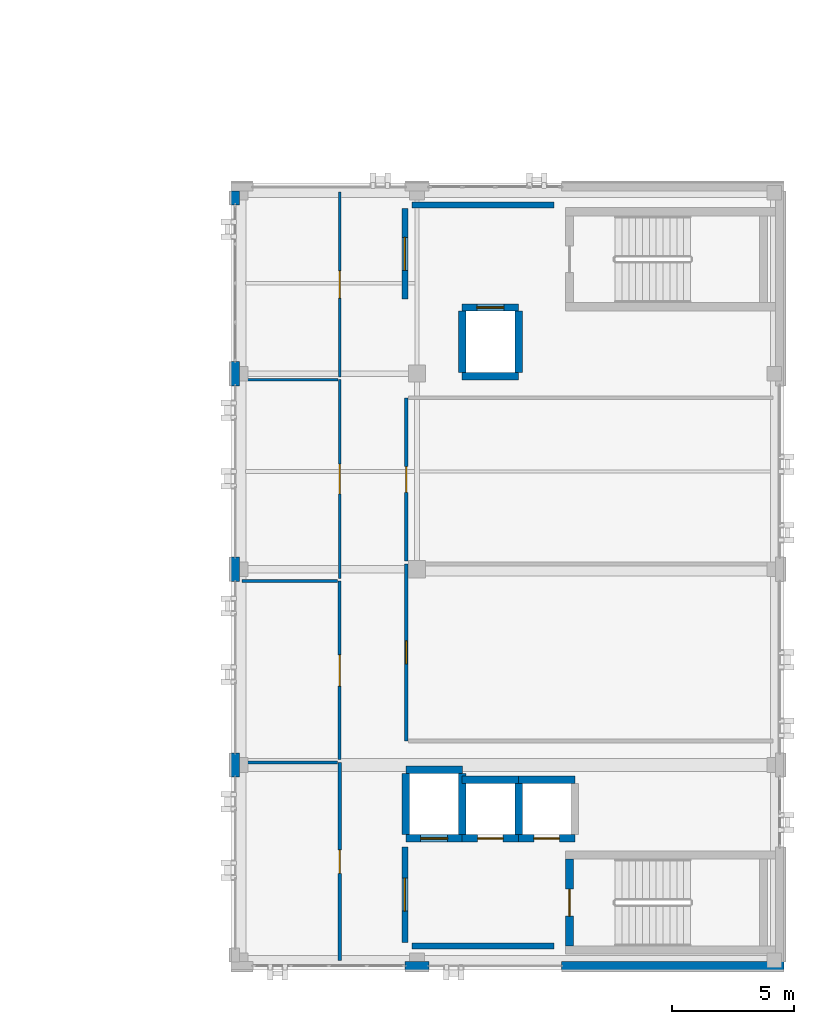
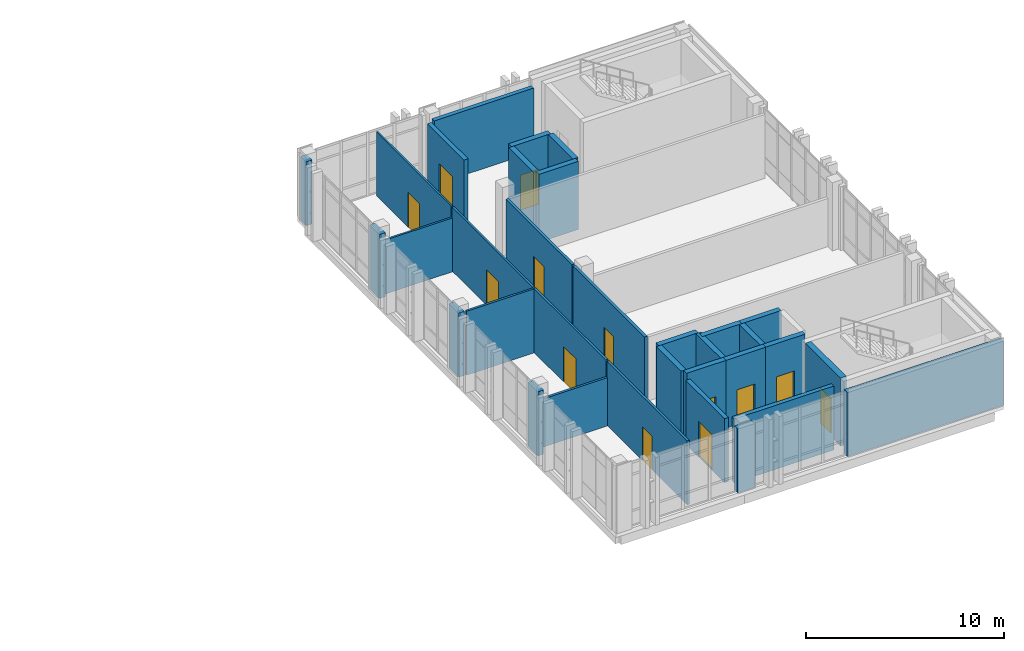
# One storey, part 17 of 22: 33 walls, 13 doors, 13 openings.
"""IFC4 building model written with IfcOpenShell, lengths in metres."""

from ifc_helpers import new_model, si_unit, direction, frame, frame_2d, origin, place, context, subcontext, project, spatial, rectangle, extrude, material, layer, layer_set, type_object, element, fill, save


model = new_model("IFC4")

# Units and contexts
model_context = context("Model", 3, precision=1e-05, world=origin(), true_north=direction((0.0, 1.0)))
body_context = subcontext(model_context, "Body", "Model", "MODEL_VIEW")
ifc_project = project(units=[si_unit("LENGTHUNIT", "METRE"), si_unit("AREAUNIT", "SQUARE_METRE"), si_unit("VOLUMEUNIT", "CUBIC_METRE"), si_unit("PLANEANGLEUNIT", "RADIAN"), si_unit("MASSUNIT", "GRAM", prefix="KILO")], contexts=[model_context])

# Site, building, storey
site_placement = place(None, origin())
site = spatial("IfcSite", under=ifc_project, at=site_placement, CompositionType="ELEMENT")
building_placement = place(site_placement, origin())
building = spatial("IfcBuilding", under=site, at=building_placement, Name="Qalavern Law Courts", CompositionType="ELEMENT")
storey_placement = place(building_placement, frame((0.0, 0.0, 35.39990234375)))
storey = spatial("IfcBuildingStorey", under=building, at=storey_placement, Name="L08", CompositionType="ELEMENT", Elevation=35.39990234375)

# Walls
ifc_material_1 = material(Name="Concrete C40/50", Category="concrete")
ifc_layer_1 = layer(ifc_material_1, 0.340087890625)
ifc_layer_set_1 = layer_set([ifc_layer_1], Name="Concrete C40/50")
wall_type_1 = type_object("IfcWallType", Name="ENV-EW-340", PredefinedType="SOLIDWALL", material=ifc_layer_set_1)
wall_1_placement = place(storey_placement, frame((91.300048828125, 41.18994140625, 0.0), z_axis=(0.0, 0.0, 1.0), x_axis=(1.0, 0.0, 0.0)))
element("IfcWall", 1, at=wall_1_placement, inside=storey, type_object=wall_type_1, Name="V4 exterior pier wall L08 south 2", PredefinedType="SOLIDWALL", context=body_context, shape_type="SweptSolid", body=[
    extrude(rectangle(XDim=1.0, YDim=0.340087890625, at=frame_2d((0.5, 0.0))), origin(), (0.0, 0.0, 1.0), 3.945068359375),
])
wall_2_placement = place(storey_placement, frame((97.699951171875, 41.18994140625, 0.0), z_axis=(0.0, 0.0, 1.0), x_axis=(1.0, 0.0, 0.0)))
element("IfcWall", 2, at=wall_2_placement, inside=storey, type_object=wall_type_1, Name="V4 exterior pier wall L08 south 3", PredefinedType="SOLIDWALL", context=body_context, shape_type="SweptSolid", body=[
    extrude(rectangle(XDim=9.10009765625, YDim=0.340087890625, at=frame_2d((4.550048828125, 0.0))), origin(), (0.0, 0.0, 1.0), 3.945068359375),
])
wall_3_placement = place(storey_placement, frame((84.3701171875, 72.864990234375, 0.0), z_axis=(0.0, 0.0, 1.0), x_axis=(0.0, -1.0, 0.0)))
element("IfcWall", 3, at=wall_3_placement, inside=storey, type_object=wall_type_1, Name="V4 exterior pier wall L08 west 1", PredefinedType="SOLIDWALL", context=body_context, shape_type="SweptSolid", body=[
    extrude(rectangle(XDim=0.56494140625, YDim=0.340087890625, at=frame_2d((0.282470703125, 0.0))), origin(), (0.0, 0.0, 1.0), 3.945068359375),
])
for number, where, z_axis, x_axis, name in (
    (4, (84.3701171875, 65.89990234375, 0.0), (0.0, 0.0, 1.0), (0.0, -1.0, 0.0), "V4 exterior pier wall L08 west 2"),
    (5, (84.3701171875, 57.89990234375, 0.0), (0.0, 0.0, 1.0), (0.0, -1.0, 0.0), "V4 exterior pier wall L08 west 3"),
    (6, (84.3701171875, 49.89990234375, 0.0), (0.0, 0.0, 1.0), (0.0, -1.0, 0.0), "V4 exterior pier wall L08 west 4"),
):
    element("IfcWall", number, at=place(storey_placement, frame(where, z_axis=z_axis, x_axis=x_axis)), inside=storey, type_object=wall_type_1, Name=name, PredefinedType="SOLIDWALL", context=body_context, shape_type="SweptSolid", body=[
        extrude(rectangle(XDim=1.0, YDim=0.340087890625, at=frame_2d((0.5, 0.0))), origin(), (0.0, 0.0, 1.0), 3.945068359375),
    ])

# Wall, opening, door
ifc_material_2 = material(Name="Concrete C45/55", Category="concrete")
ifc_layer_2 = layer(ifc_material_2, 0.3349609375)
ifc_layer_set_2 = layer_set([ifc_layer_2], Name="Concrete C45/55")
wall_type_2 = type_object("IfcWallType", Name="INT-CW-335", PredefinedType="SHEAR", material=ifc_layer_set_2)
wall_4_placement = place(storey_placement, frame((98.032470703125, 45.550048828125, 0.0), z_axis=(0.0, 0.0, 1.0), x_axis=(0.0, -1.0, 0.0)))
wall_4 = element("IfcWall", 7, at=wall_4_placement, inside=storey, type_object=wall_type_2, Name="Core K1A stair shear wall L08 west", PredefinedType="SHEAR", context=body_context, shape_type="SweptSolid", body=[
    extrude(rectangle(XDim=3.550048828125, YDim=0.3349609375, at=frame_2d((1.77490234375, 0.0))), origin(), (0.0, 0.0, 1.0), 4.2001953125),
])
opening_1_placement = place(wall_4_placement, frame((1.22509765625, 0.0, 0.0)))
opening_1 = element("IfcOpeningElement", 8, at=opening_1_placement, cuts=wall_4, Name="Opening L08-D021", PredefinedType="OPENING", context=body_context, shape_type="SweptSolid", body=[
    extrude(rectangle(XDim=1.10009765625, YDim=2.14990234375, at=frame_2d((0.550048828125, 1.074951171875))), frame((0.0, 0.182373046875, 0.0), z_axis=(0.0, -1.0, 0.0), x_axis=(1.0, 0.0, 0.0)), (0.0, 0.0, 1.0), 0.36474609375),
])
ifc_material_3 = material(Name="Steel fire-rated stair enclosure door", Category="steel")
door_type_1 = type_object("IfcDoorType", Name="INT-FD-1100x2150", OperationType="NOTDEFINED", PredefinedType="DOOR", material=ifc_material_3)
door_1_placement = place(opening_1_placement, frame((1.10009765625, 0.0, 0.0), z_axis=(0.0, 0.0, 1.0), x_axis=(-1.0, 0.0, 0.0)))
door_1 = element("IfcDoor", 9, at=door_1_placement, inside=storey, type_object=door_type_1, Name="Stair K1A fire door L08", OperationType="SINGLE_SWING_LEFT", OverallHeight=2.14990234375, OverallWidth=1.10009765625, PredefinedType="DOOR", context=body_context, shape_type="SweptSolid", body=[
    extrude(rectangle(XDim=1.10009765625, YDim=2.14990234375, at=frame_2d((0.550048828125, 1.074951171875))), frame((0.0, 0.02490234375, 0.0), z_axis=(0.0, -1.0, 0.0), x_axis=(1.0, 0.0, 0.0)), (0.0, 0.0, 1.0), 0.050048828125),
])
fill(opening_1, door_1)

ifc_layer_3 = layer(ifc_material_1, 0.2451171875)
ifc_layer_set_3 = layer_set([ifc_layer_3], Name="Concrete C40/50")
wall_type_3 = type_object("IfcWallType", Name="INT-FW-245", PredefinedType="PARTITIONING", material=ifc_layer_set_3)
wall_5_placement = place(storey_placement, frame((91.300048828125, 42.14990234375, 0.0), z_axis=(0.0, 0.0, 1.0), x_axis=(0.0, 1.0, 0.0)))
wall_5 = element("IfcWall", 10, at=wall_5_placement, inside=storey, type_object=wall_type_3, Name="Core K1A firefighting/stair lobby fire wall L08", PredefinedType="PARTITIONING", context=body_context, shape_type="SweptSolid", body=[
    extrude(rectangle(XDim=3.900146484375, YDim=0.2451171875, at=frame_2d((1.9501953125, 0.0))), origin(), (0.0, 0.0, 1.0), 3.945068359375),
])
opening_2_placement = place(wall_5_placement, frame((1.27490234375, 0.0, 0.0)))
opening_2 = element("IfcOpeningElement", 11, at=opening_2_placement, cuts=wall_5, Name="Opening L08-D022", PredefinedType="OPENING", context=body_context, shape_type="SweptSolid", body=[
    extrude(rectangle(XDim=1.35009765625, YDim=2.199951171875, at=frame_2d((0.675048828125, 1.10009765625))), frame((0.0, 0.137451171875, 0.0), z_axis=(0.0, -1.0, 0.0), x_axis=(1.0, 0.0, 0.0)), (0.0, 0.0, 1.0), 0.27490234375),
])
ifc_material_4 = material(Name="Steel fire-rated frame and acoustic timber leaves", Category="steel")
door_type_2 = type_object("IfcDoorType", Name="INT-FD-1350x2200", OperationType="DOUBLE_DOOR_SINGLE_SWING", PredefinedType="DOOR", material=ifc_material_4)
door_2_placement = place(opening_2_placement, origin())
door_2 = element("IfcDoor", 12, at=door_2_placement, inside=storey, type_object=door_type_2, Name="Core K1A lobby fire door L08", OperationType="DOUBLE_DOOR_SINGLE_SWING", OverallHeight=2.199951171875, OverallWidth=1.35009765625, PredefinedType="DOOR", context=body_context, shape_type="SweptSolid", body=[
    extrude(rectangle(XDim=1.35009765625, YDim=2.199951171875, at=frame_2d((0.675048828125, 1.10009765625))), frame((0.0, 0.02490234375, 0.0), z_axis=(0.0, -1.0, 0.0), x_axis=(1.0, 0.0, 0.0)), (0.0, 0.0, 1.0), 0.050048828125),
])
fill(opening_2, door_2)

# Wall
wall_6_placement = place(storey_placement, frame((91.60009765625, 42.0, 0.0), z_axis=(0.0, 0.0, 1.0), x_axis=(1.0, 0.0, 0.0)))
element("IfcWall", 13, at=wall_6_placement, inside=storey, type_object=wall_type_3, Name="Core K1A lobby return wall L08 south", PredefinedType="PARTITIONING", context=body_context, shape_type="SweptSolid", body=[
    extrude(rectangle(XDim=5.7998046875, YDim=0.2451171875, at=frame_2d((2.89990234375, 0.0))), origin(), (0.0, 0.0, 1.0), 3.945068359375),
])

# Wall, opening, door
wall_7_placement = place(storey_placement, frame((91.300048828125, 68.449951171875, 0.0), z_axis=(0.0, 0.0, 1.0), x_axis=(0.0, 1.0, 0.0)))
wall_7 = element("IfcWall", 14, at=wall_7_placement, inside=storey, type_object=wall_type_3, Name="Core K1B firefighting/stair lobby fire wall L08", PredefinedType="PARTITIONING", context=body_context, shape_type="SweptSolid", body=[
    extrude(rectangle(XDim=3.699951171875, YDim=0.2451171875, at=frame_2d((1.85009765625, 0.0))), origin(), (0.0, 0.0, 1.0), 3.945068359375),
])
opening_3_placement = place(wall_7_placement, frame((1.175048828125, 0.0, 0.0)))
opening_3 = element("IfcOpeningElement", 15, at=opening_3_placement, cuts=wall_7, Name="Opening L08-D046", PredefinedType="OPENING", context=body_context, shape_type="SweptSolid", body=[
    extrude(rectangle(XDim=1.35009765625, YDim=2.199951171875, at=frame_2d((0.675048828125, 1.10009765625))), frame((0.0, 0.137451171875, 0.0), z_axis=(0.0, -1.0, 0.0), x_axis=(1.0, 0.0, 0.0)), (0.0, 0.0, 1.0), 0.27490234375),
])
door_3_placement = place(opening_3_placement, origin())
door_3 = element("IfcDoor", 16, at=door_3_placement, inside=storey, type_object=door_type_2, Name="Core K1B lobby fire door L08", OperationType="DOUBLE_DOOR_SINGLE_SWING", OverallHeight=2.199951171875, OverallWidth=1.35009765625, PredefinedType="DOOR", context=body_context, shape_type="SweptSolid", body=[
    extrude(rectangle(XDim=1.35009765625, YDim=2.199951171875, at=frame_2d((0.675048828125, 1.10009765625))), frame((0.0, 0.02490234375, 0.0), z_axis=(0.0, -1.0, 0.0), x_axis=(1.0, 0.0, 0.0)), (0.0, 0.0, 1.0), 0.050048828125),
])
fill(opening_3, door_3)

# Wall
wall_8_placement = place(storey_placement, frame((91.60009765625, 72.300048828125, 0.0), z_axis=(0.0, 0.0, 1.0), x_axis=(1.0, 0.0, 0.0)))
element("IfcWall", 17, at=wall_8_placement, inside=storey, type_object=wall_type_3, Name="Core K1B lobby return wall L08 north", PredefinedType="PARTITIONING", context=body_context, shape_type="SweptSolid", body=[
    extrude(rectangle(XDim=5.7998046875, YDim=0.2451171875, at=frame_2d((2.89990234375, 0.0))), origin(), (0.0, 0.0, 1.0), 3.945068359375),
])

# Wall, opening, door
ifc_material_5 = material(Name="Gypsum sanitary partition")
ifc_layer_4 = layer(ifc_material_5, 0.10205078125)
ifc_layer_set_4 = layer_set([ifc_layer_4], Name="Gypsum sanitary partition")
wall_type_4 = type_object("IfcWallType", Name="INT-PW-102", PredefinedType="PARTITIONING", material=ifc_layer_set_4)
wall_9_placement = place(storey_placement, frame((88.639892578125, 65.27001953125, 0.0), z_axis=(0.0, 0.0, 1.0), x_axis=(0.0, 1.0, 0.0)))
wall_9 = element("IfcWall", 18, at=wall_9_placement, inside=storey, type_object=wall_type_4, Name="Jury Deliberation Suite corridor partition L08", PredefinedType="PARTITIONING", context=body_context, shape_type="SweptSolid", body=[
    extrude(rectangle(XDim=7.550048828125, YDim=0.10205078125, at=frame_2d((3.77490234375, 0.0))), origin(), (0.0, 0.0, 1.0), 3.945068359375),
])
opening_4_placement = place(wall_9_placement, frame((3.215087890625, 0.0, 0.0)))
opening_4 = element("IfcOpeningElement", 19, at=opening_4_placement, cuts=wall_9, Name="Opening L08-D318", PredefinedType="OPENING", context=body_context, shape_type="SweptSolid", body=[
    extrude(rectangle(XDim=1.1201171875, YDim=2.139892578125, at=frame_2d((0.56005859375, 1.06982421875))), frame((0.0, 0.06591796875, 0.0), z_axis=(0.0, -1.0, 0.0), x_axis=(1.0, 0.0, 0.0)), (0.0, 0.0, 1.0), 0.1318359375),
])
ifc_material_6 = material(Name="Solid oak Appellate Chambers door")
door_type_3 = type_object("IfcDoorType", Name="INT-ID-1120x2140", OperationType="NOTDEFINED", PredefinedType="DOOR", material=ifc_material_6)
door_4_placement = place(opening_4_placement, frame((1.1201171875, 0.0, 0.0), z_axis=(0.0, 0.0, 1.0), x_axis=(-1.0, 0.0, 0.0)))
door_4 = element("IfcDoor", 20, at=door_4_placement, inside=storey, type_object=door_type_3, Name="Jury Deliberation Suite door L08", OperationType="SINGLE_SWING_LEFT", OverallHeight=2.139892578125, OverallWidth=1.1201171875, PredefinedType="DOOR", context=body_context, shape_type="SweptSolid", body=[
    extrude(rectangle(XDim=1.1201171875, YDim=2.139892578125, at=frame_2d((0.56005859375, 1.06982421875))), frame((0.0, 0.02490234375, 0.0), z_axis=(0.0, -1.0, 0.0), x_axis=(1.0, 0.0, 0.0)), (0.0, 0.0, 1.0), 0.050048828125),
])
fill(opening_4, door_4)

ifc_material_7 = material(Name="Gypsum stud partition")
ifc_layer_5 = layer(ifc_material_7, 0.112060546875)
ifc_layer_set_5 = layer_set([ifc_layer_5], Name="Gypsum stud partition")
wall_type_5 = type_object("IfcWallType", Name="INT-PW-112", PredefinedType="PARTITIONING", material=ifc_layer_set_5)
wall_10_placement = place(storey_placement, frame((88.639892578125, 57.031982421875, 0.0), z_axis=(0.0, 0.0, 1.0), x_axis=(0.0, 1.0, 0.0)))
wall_10 = element("IfcWall", 21, at=wall_10_placement, inside=storey, type_object=wall_type_5, Name="Legal Research Clerks' Office corridor partition L08", PredefinedType="PARTITIONING", context=body_context, shape_type="SweptSolid", body=[
    extrude(rectangle(XDim=8.117919921875, YDim=0.112060546875, at=frame_2d((4.05908203125, 0.0))), origin(), (0.0, 0.0, 1.0), 3.945068359375),
])
opening_5_placement = place(wall_10_placement, frame((3.448974609375, 0.0, 0.0)))
opening_5 = element("IfcOpeningElement", 22, at=opening_5_placement, cuts=wall_10, Name="Opening L08-D317", PredefinedType="OPENING", context=body_context, shape_type="SweptSolid", body=[
    extrude(rectangle(XDim=1.219970703125, YDim=2.179931640625, at=frame_2d((0.60986328125, 1.08984375))), frame((0.0, 0.07080078125, 0.0), z_axis=(0.0, -1.0, 0.0), x_axis=(1.0, 0.0, 0.0)), (0.0, 0.0, 1.0), 0.141845703125),
])
ifc_material_8 = material(Name="Wide oak Plenary Boardroom door")
door_type_4 = type_object("IfcDoorType", Name="INT-ID-1220x2180", OperationType="NOTDEFINED", PredefinedType="DOOR", material=ifc_material_8)
door_5_placement = place(opening_5_placement, frame((1.219970703125, 0.0, 0.0), z_axis=(0.0, 0.0, 1.0), x_axis=(-1.0, 0.0, 0.0)))
door_5 = element("IfcDoor", 23, at=door_5_placement, inside=storey, type_object=door_type_4, Name="Legal Research Clerks' Office door L08", OperationType="SINGLE_SWING_RIGHT", OverallHeight=2.179931640625, OverallWidth=1.219970703125, PredefinedType="DOOR", context=body_context, shape_type="SweptSolid", body=[
    extrude(rectangle(XDim=1.219970703125, YDim=2.179931640625, at=frame_2d((0.60986328125, 1.08984375))), frame((0.0, 0.02490234375, 0.0), z_axis=(0.0, -1.0, 0.0), x_axis=(1.0, 0.0, 0.0)), (0.0, 0.0, 1.0), 0.050048828125),
])
fill(opening_5, door_5)

# Wall
wall_11_placement = place(storey_placement, frame((84.639892578125, 65.14990234375, 0.0), z_axis=(0.0, 0.0, 1.0), x_axis=(1.0, 0.0, 0.0)))
element("IfcWall", 24, at=wall_11_placement, inside=storey, type_object=wall_type_5, Name="Legal Research Clerks' Office cross partition L08 north", PredefinedType="PARTITIONING", context=body_context, shape_type="SweptSolid", body=[
    extrude(rectangle(XDim=3.924072265625, YDim=0.112060546875, at=frame_2d((1.9619140625, 0.0))), origin(), (0.0, 0.0, 1.0), 3.3251953125),
])

# Wall, opening, door
ifc_layer_6 = layer(ifc_material_7, 0.1220703125)
ifc_layer_set_6 = layer_set([ifc_layer_6], Name="Gypsum stud partition")
wall_type_6 = type_object("IfcWallType", Name="INT-PW-122", PredefinedType="PARTITIONING", material=ifc_layer_set_6)
wall_12_placement = place(storey_placement, frame((88.639892578125, 49.6201171875, 0.0), z_axis=(0.0, 0.0, 1.0), x_axis=(0.0, 1.0, 0.0)))
wall_12 = element("IfcWall", 25, at=wall_12_placement, inside=storey, type_object=wall_type_6, Name="Judicial Conference Room corridor partition L08", PredefinedType="PARTITIONING", context=body_context, shape_type="SweptSolid", body=[
    extrude(rectangle(XDim=7.2919921875, YDim=0.1220703125, at=frame_2d((3.64599609375, 0.0))), origin(), (0.0, 0.0, 1.0), 3.945068359375),
])
opening_6_placement = place(wall_12_placement, frame((3.006103515625, 0.0, 0.0)))
opening_6 = element("IfcOpeningElement", 26, at=opening_6_placement, cuts=wall_12, Name="Opening L08-D316", PredefinedType="OPENING", context=body_context, shape_type="SweptSolid", body=[
    extrude(rectangle(XDim=1.280029296875, YDim=2.179931640625, at=frame_2d((0.64013671875, 1.08984375))), frame((0.0, 0.075927734375, 0.0), z_axis=(0.0, -1.0, 0.0), x_axis=(1.0, 0.0, 0.0)), (0.0, 0.0, 1.0), 0.15185546875),
])
ifc_material_9 = material(Name="Wide oak Judicial Conference door")
door_type_5 = type_object("IfcDoorType", Name="INT-ID-1280x2180", OperationType="NOTDEFINED", PredefinedType="DOOR", material=ifc_material_9)
door_6_placement = place(opening_6_placement, frame((1.280029296875, 0.0, 0.0), z_axis=(0.0, 0.0, 1.0), x_axis=(-1.0, 0.0, 0.0)))
door_6 = element("IfcDoor", 27, at=door_6_placement, inside=storey, type_object=door_type_5, Name="Judicial Conference Room door L08", OperationType="SINGLE_SWING_LEFT", OverallHeight=2.179931640625, OverallWidth=1.280029296875, PredefinedType="DOOR", context=body_context, shape_type="SweptSolid", body=[
    extrude(rectangle(XDim=1.280029296875, YDim=2.179931640625, at=frame_2d((0.64013671875, 1.08984375))), frame((0.0, 0.02490234375, 0.0), z_axis=(0.0, -1.0, 0.0), x_axis=(1.0, 0.0, 0.0)), (0.0, 0.0, 1.0), 0.050048828125),
])
fill(opening_6, door_6)

# Wall
wall_13_placement = place(storey_placement, frame((84.639892578125, 56.912109375, 0.0), z_axis=(0.0, 0.0, 1.0), x_axis=(1.0, 0.0, 0.0)))
element("IfcWall", 28, at=wall_13_placement, inside=storey, type_object=wall_type_6, Name="Judicial Conference Room cross partition L08 north", PredefinedType="PARTITIONING", context=body_context, shape_type="SweptSolid", body=[
    extrude(rectangle(XDim=3.919189453125, YDim=0.1220703125, at=frame_2d((1.95947265625, 0.0))), origin(), (0.0, 0.0, 1.0), 3.945068359375),
])

# Wall, opening, door
ifc_layer_7 = layer(ifc_material_7, 0.132080078125)
ifc_layer_set_7 = layer_set([ifc_layer_7], Name="Gypsum stud partition")
wall_type_7 = type_object("IfcWallType", Name="INT-PW-132", PredefinedType="PARTITIONING", material=ifc_layer_set_7)
wall_14_placement = place(storey_placement, frame((88.639892578125, 41.39990234375, 0.0), z_axis=(0.0, 0.0, 1.0), x_axis=(0.0, 1.0, 0.0)))
wall_14 = element("IfcWall", 29, at=wall_14_placement, inside=storey, type_object=wall_type_7, Name="Appellate Judges' Chambers corridor partition L08", PredefinedType="PARTITIONING", context=body_context, shape_type="SweptSolid", body=[
    extrude(rectangle(XDim=8.10009765625, YDim=0.132080078125, at=frame_2d((4.050048828125, 0.0))), origin(), (0.0, 0.0, 1.0), 3.945068359375),
])
opening_7_placement = place(wall_14_placement, frame((3.570068359375, 0.0, 0.0)))
opening_7 = element("IfcOpeningElement", 30, at=opening_7_placement, cuts=wall_14, Name="Opening L08-D315", PredefinedType="OPENING", context=body_context, shape_type="SweptSolid", body=[
    extrude(rectangle(XDim=0.9599609375, YDim=2.080078125, at=frame_2d((0.47998046875, 1.0400390625))), frame((0.0, 0.0810546875, 0.0), z_axis=(0.0, -1.0, 0.0), x_axis=(1.0, 0.0, 0.0)), (0.0, 0.0, 1.0), 0.161865234375),
])
ifc_material_10 = material(Name="Timber Counsel Consultation door", Category="wood")
door_type_6 = type_object("IfcDoorType", Name="INT-ID-960x2080", OperationType="NOTDEFINED", PredefinedType="DOOR", material=ifc_material_10)
door_7_placement = place(opening_7_placement, frame((0.9599609375, 0.0, 0.0), z_axis=(0.0, 0.0, 1.0), x_axis=(-1.0, 0.0, 0.0)))
door_7 = element("IfcDoor", 31, at=door_7_placement, inside=storey, type_object=door_type_6, Name="Appellate Judges' Chambers door L08", OperationType="SINGLE_SWING_RIGHT", OverallHeight=2.080078125, OverallWidth=0.9599609375, PredefinedType="DOOR", context=body_context, shape_type="SweptSolid", body=[
    extrude(rectangle(XDim=0.9599609375, YDim=2.080078125, at=frame_2d((0.47998046875, 1.0400390625))), frame((0.0, 0.02490234375, 0.0), z_axis=(0.0, -1.0, 0.0), x_axis=(1.0, 0.0, 0.0)), (0.0, 0.0, 1.0), 0.050048828125),
])
fill(opening_7, door_7)

# Wall
wall_15_placement = place(storey_placement, frame((84.639892578125, 49.5, 0.0), z_axis=(0.0, 0.0, 1.0), x_axis=(1.0, 0.0, 0.0)))
element("IfcWall", 32, at=wall_15_placement, inside=storey, type_object=wall_type_7, Name="Appellate Judges' Chambers cross partition L08 north", PredefinedType="PARTITIONING", context=body_context, shape_type="SweptSolid", body=[
    extrude(rectangle(XDim=3.9140625, YDim=0.132080078125, at=frame_2d((1.95703125, 0.0))), origin(), (0.0, 0.0, 1.0), 2.97509765625),
])

# Wall, opening, door
ifc_layer_8 = layer(ifc_material_7, 0.152099609375)
ifc_layer_set_8 = layer_set([ifc_layer_8], Name="Gypsum stud partition")
wall_type_8 = type_object("IfcWallType", Name="INT-PW-152", PredefinedType="PARTITIONING", material=ifc_layer_set_8)
wall_16_placement = place(storey_placement, frame((91.360107421875, 57.735107421875, 0.0), z_axis=(0.0, 0.0, 1.0), x_axis=(0.0, 1.0, 0.0)))
wall_16 = element("IfcWall", 33, at=wall_16_placement, inside=storey, type_object=wall_type_8, Name="Appellate Judges' Chambers corridor partition L08", PredefinedType="PARTITIONING", context=body_context, shape_type="SweptSolid", body=[
    extrude(rectangle(XDim=6.6748046875, YDim=0.152099609375, at=frame_2d((3.33740234375, 0.0))), origin(), (0.0, 0.0, 1.0), 3.945068359375),
])
opening_8_placement = place(wall_16_placement, frame((2.8076171875, 0.0, 0.0)))
opening_8 = element("IfcOpeningElement", 34, at=opening_8_placement, cuts=wall_16, Name="Opening L08-D320", PredefinedType="OPENING", context=body_context, shape_type="SweptSolid", body=[
    extrude(rectangle(XDim=1.06005859375, YDim=2.1201171875, at=frame_2d((0.530029296875, 1.06005859375))), frame((0.0, 0.0908203125, 0.0), z_axis=(0.0, -1.0, 0.0), x_axis=(1.0, 0.0, 0.0)), (0.0, 0.0, 1.0), 0.181884765625),
])
ifc_material_11 = material(Name="Solid oak Trial Judges' Chambers door")
door_type_7 = type_object("IfcDoorType", Name="INT-ID-1060x2120", OperationType="NOTDEFINED", PredefinedType="DOOR", material=ifc_material_11)
door_8_placement = place(opening_8_placement, origin())
door_8 = element("IfcDoor", 35, at=door_8_placement, inside=storey, type_object=door_type_7, Name="Appellate Judges' Chambers door L08", OperationType="SINGLE_SWING_LEFT", OverallHeight=2.1201171875, OverallWidth=1.06005859375, PredefinedType="DOOR", context=body_context, shape_type="SweptSolid", body=[
    extrude(rectangle(XDim=1.06005859375, YDim=2.1201171875, at=frame_2d((0.530029296875, 1.06005859375))), frame((0.0, 0.02490234375, 0.0), z_axis=(0.0, -1.0, 0.0), x_axis=(1.0, 0.0, 0.0)), (0.0, 0.0, 1.0), 0.050048828125),
])
fill(opening_8, door_8)

ifc_layer_9 = layer(ifc_material_7, 0.162109375)
ifc_layer_set_9 = layer_set([ifc_layer_9], Name="Gypsum stud partition")
wall_type_9 = type_object("IfcWallType", Name="INT-PW-162", PredefinedType="PARTITIONING", material=ifc_layer_set_9)
wall_17_placement = place(storey_placement, frame((91.360107421875, 50.389892578125, 0.0), z_axis=(0.0, 0.0, 1.0), x_axis=(0.0, 1.0, 0.0)))
wall_17 = element("IfcWall", 36, at=wall_17_placement, inside=storey, type_object=wall_type_9, Name="Accessible WC corridor partition L08", PredefinedType="PARTITIONING", context=body_context, shape_type="SweptSolid", body=[
    extrude(rectangle(XDim=7.22509765625, YDim=0.162109375, at=frame_2d((3.612548828125, 0.0))), origin(), (0.0, 0.0, 1.0), 3.945068359375),
])
opening_9_placement = place(wall_17_placement, frame((3.142578125, 0.0, 0.0)))
opening_9 = element("IfcOpeningElement", 37, at=opening_9_placement, cuts=wall_17, Name="Opening L08-D319", PredefinedType="OPENING", context=body_context, shape_type="SweptSolid", body=[
    extrude(rectangle(XDim=0.93994140625, YDim=2.070068359375, at=frame_2d((0.469970703125, 1.03515625))), frame((0.0, 0.095947265625, 0.0), z_axis=(0.0, -1.0, 0.0), x_axis=(1.0, 0.0, 0.0)), (0.0, 0.0, 1.0), 0.19189453125),
])
ifc_material_12 = material(Name="Accessible WC outward-clear door")
door_type_8 = type_object("IfcDoorType", Name="INT-ID-940x2070", OperationType="NOTDEFINED", PredefinedType="DOOR", material=ifc_material_12)
door_9_placement = place(opening_9_placement, origin())
door_9 = element("IfcDoor", 38, at=door_9_placement, inside=storey, type_object=door_type_8, Name="Accessible WC door L08", OperationType="SINGLE_SWING_RIGHT", OverallHeight=2.070068359375, OverallWidth=0.93994140625, PredefinedType="DOOR", context=body_context, shape_type="SweptSolid", body=[
    extrude(rectangle(XDim=0.93994140625, YDim=2.070068359375, at=frame_2d((0.469970703125, 1.03515625))), frame((0.0, 0.02490234375, 0.0), z_axis=(0.0, -1.0, 0.0), x_axis=(1.0, 0.0, 0.0)), (0.0, 0.0, 1.0), 0.050048828125),
])
fill(opening_9, door_9)

ifc_layer_10 = layer(ifc_material_2, 0.304931640625)
ifc_layer_set_10 = layer_set([ifc_layer_10], Name="Concrete C45/55")
wall_type_10 = type_object("IfcWallType", Name="INT-SW-305", PredefinedType="SHEAR", material=ifc_layer_set_10)
wall_18_placement = place(storey_placement, frame((91.347412109375, 46.3974609375, 0.0), z_axis=(0.0, 0.0, 1.0), x_axis=(1.0, 0.0, 0.0)))
wall_18 = element("IfcWall", 39, at=wall_18_placement, inside=storey, type_object=wall_type_10, Name="Lift LF-FF1 shaft wall L08 south", PredefinedType="SHEAR", context=body_context, shape_type="SweptSolid", body=[
    extrude(rectangle(XDim=2.30517578125, YDim=0.304931640625, at=frame_2d((1.152587890625, 0.0))), origin(), (0.0, 0.0, 1.0), 4.2001953125),
])
opening_10_placement = place(wall_18_placement, frame((0.6025390625, 0.0, 0.0)))
opening_10 = element("IfcOpeningElement", 40, at=opening_10_placement, cuts=wall_18, Name="Opening LD-LF-FF1-L08", PredefinedType="OPENING", context=body_context, shape_type="SweptSolid", body=[
    extrude(rectangle(XDim=1.10009765625, YDim=2.159912109375, at=frame_2d((0.550048828125, 1.080078125))), frame((0.0, 0.16748046875, 0.0), z_axis=(0.0, -1.0, 0.0), x_axis=(1.0, 0.0, 0.0)), (0.0, 0.0, 1.0), 0.334716796875),
])
ifc_material_13 = material(Name="Stainless steel firefighting lift sliding landing door", Category="steel")
door_type_9 = type_object("IfcDoorType", Name="INT-LD-1100x2160", OperationType="DOUBLE_DOOR_SLIDING", PredefinedType="DOOR", material=ifc_material_13)
door_10_placement = place(opening_10_placement, origin())
door_10 = element("IfcDoor", 41, at=door_10_placement, inside=storey, type_object=door_type_9, Name="Lift LF-FF1 sliding landing door L08", OperationType="DOUBLE_DOOR_SLIDING", OverallHeight=2.159912109375, OverallWidth=1.10009765625, PredefinedType="DOOR", context=body_context, shape_type="SweptSolid", body=[
    extrude(rectangle(XDim=1.10009765625, YDim=2.159912109375, at=frame_2d((0.550048828125, 1.080078125))), frame((0.0, 0.02490234375, 0.0), z_axis=(0.0, -1.0, 0.0), x_axis=(1.0, 0.0, 0.0)), (0.0, 0.0, 1.0), 0.050048828125),
])
fill(opening_10, door_10)

# Walls
wall_19_placement = place(storey_placement, frame((93.652587890625, 46.550048828125, 0.0), z_axis=(0.0, 0.0, 1.0), x_axis=(0.0, 1.0, 0.0)))
element("IfcWall", 42, at=wall_19_placement, inside=storey, type_object=wall_type_10, Name="Lift LF-FF1 shaft wall L08 east", PredefinedType="SHEAR", context=body_context, shape_type="SweptSolid", body=[
    extrude(rectangle(XDim=2.5, YDim=0.304931640625, at=frame_2d((1.25, 0.0))), origin(), (0.0, 0.0, 1.0), 4.2001953125),
])
wall_20_placement = place(storey_placement, frame((93.652587890625, 49.202392578125, 0.0), z_axis=(0.0, 0.0, 1.0), x_axis=(-1.0, 0.0, 0.0)))
element("IfcWall", 43, at=wall_20_placement, inside=storey, type_object=wall_type_10, Name="Lift LF-FF1 shaft wall L08 north", PredefinedType="SHEAR", context=body_context, shape_type="SweptSolid", body=[
    extrude(rectangle(XDim=2.30517578125, YDim=0.304931640625, at=frame_2d((1.152587890625, 0.0))), origin(), (0.0, 0.0, 1.0), 4.2001953125),
])
wall_21_placement = place(storey_placement, frame((91.347412109375, 49.050048828125, 0.0), z_axis=(0.0, 0.0, 1.0), x_axis=(0.0, -1.0, 0.0)))
element("IfcWall", 44, at=wall_21_placement, inside=storey, type_object=wall_type_10, Name="Lift LF-FF1 shaft wall L08 west", PredefinedType="SHEAR", context=body_context, shape_type="SweptSolid", body=[
    extrude(rectangle(XDim=2.5, YDim=0.304931640625, at=frame_2d((1.25, 0.0))), origin(), (0.0, 0.0, 1.0), 4.2001953125),
])

# Wall, opening, door
wall_22_placement = place(storey_placement, frame((93.6474609375, 46.3974609375, 0.0), z_axis=(0.0, 0.0, 1.0), x_axis=(1.0, 0.0, 0.0)))
wall_22 = element("IfcWall", 45, at=wall_22_placement, inside=storey, type_object=wall_type_10, Name="Lift LF-P1 shaft wall L08 south", PredefinedType="SHEAR", context=body_context, shape_type="SweptSolid", body=[
    extrude(rectangle(XDim=2.304931640625, YDim=0.304931640625, at=frame_2d((1.15234375, 0.0))), origin(), (0.0, 0.0, 1.0), 4.2001953125),
])
opening_11_placement = place(wall_22_placement, frame((0.62744140625, 0.0, 0.0)))
opening_11 = element("IfcOpeningElement", 46, at=opening_11_placement, cuts=wall_22, Name="Opening LD-LF-P1-L08", PredefinedType="OPENING", context=body_context, shape_type="SweptSolid", body=[
    extrude(rectangle(XDim=1.050048828125, YDim=2.14990234375, at=frame_2d((0.52490234375, 1.074951171875))), frame((0.0, 0.16748046875, 0.0), z_axis=(0.0, -1.0, 0.0), x_axis=(1.0, 0.0, 0.0)), (0.0, 0.0, 1.0), 0.334716796875),
])
ifc_material_14 = material(Name="Brushed stainless steel passenger lift sliding landing door", Category="steel")
door_type_10 = type_object("IfcDoorType", Name="INT-LD-1050x2150", OperationType="DOUBLE_DOOR_SLIDING", PredefinedType="DOOR", material=ifc_material_14)
door_11_placement = place(opening_11_placement, origin())
door_11 = element("IfcDoor", 47, at=door_11_placement, inside=storey, type_object=door_type_10, Name="Lift LF-P1 sliding landing door L08", OperationType="DOUBLE_DOOR_SLIDING", OverallHeight=2.14990234375, OverallWidth=1.050048828125, PredefinedType="DOOR", context=body_context, shape_type="SweptSolid", body=[
    extrude(rectangle(XDim=1.050048828125, YDim=2.14990234375, at=frame_2d((0.52490234375, 1.074951171875))), frame((0.0, 0.02490234375, 0.0), z_axis=(0.0, -1.0, 0.0), x_axis=(1.0, 0.0, 0.0)), (0.0, 0.0, 1.0), 0.050048828125),
])
fill(opening_11, door_11)

# Walls
wall_23_placement = place(storey_placement, frame((95.952392578125, 46.550048828125, 0.0), z_axis=(0.0, 0.0, 1.0), x_axis=(0.0, 1.0, 0.0)))
element("IfcWall", 48, at=wall_23_placement, inside=storey, type_object=wall_type_10, Name="Lift LF-P1 shaft wall L08 east", PredefinedType="SHEAR", context=body_context, shape_type="SweptSolid", body=[
    extrude(rectangle(XDim=2.099853515625, YDim=0.304931640625, at=frame_2d((1.0498046875, 0.0))), origin(), (0.0, 0.0, 1.0), 4.2001953125),
])
wall_24_placement = place(storey_placement, frame((95.952392578125, 48.802490234375, 0.0), z_axis=(0.0, 0.0, 1.0), x_axis=(-1.0, 0.0, 0.0)))
element("IfcWall", 49, at=wall_24_placement, inside=storey, type_object=wall_type_10, Name="Lift LF-P1 shaft wall L08 north", PredefinedType="SHEAR", context=body_context, shape_type="SweptSolid", body=[
    extrude(rectangle(XDim=2.304931640625, YDim=0.304931640625, at=frame_2d((1.15234375, 0.0))), origin(), (0.0, 0.0, 1.0), 4.2001953125),
])

# Wall, opening, door
wall_25_placement = place(storey_placement, frame((95.947509765625, 46.3974609375, 0.0), z_axis=(0.0, 0.0, 1.0), x_axis=(1.0, 0.0, 0.0)))
wall_25 = element("IfcWall", 50, at=wall_25_placement, inside=storey, type_object=wall_type_10, Name="Lift LF-P2 shaft wall L08 south", PredefinedType="SHEAR", context=body_context, shape_type="SweptSolid", body=[
    extrude(rectangle(XDim=2.304931640625, YDim=0.304931640625, at=frame_2d((1.15234375, 0.0))), origin(), (0.0, 0.0, 1.0), 4.2001953125),
])
opening_12_placement = place(wall_25_placement, frame((0.62744140625, 0.0, 0.0)))
opening_12 = element("IfcOpeningElement", 51, at=opening_12_placement, cuts=wall_25, Name="Opening LD-LF-P2-L08", PredefinedType="OPENING", context=body_context, shape_type="SweptSolid", body=[
    extrude(rectangle(XDim=1.050048828125, YDim=2.14990234375, at=frame_2d((0.52490234375, 1.074951171875))), frame((0.0, 0.16748046875, 0.0), z_axis=(0.0, -1.0, 0.0), x_axis=(1.0, 0.0, 0.0)), (0.0, 0.0, 1.0), 0.334716796875),
])
door_12_placement = place(opening_12_placement, origin())
door_12 = element("IfcDoor", 52, at=door_12_placement, inside=storey, type_object=door_type_10, Name="Lift LF-P2 sliding landing door L08", OperationType="DOUBLE_DOOR_SLIDING", OverallHeight=2.14990234375, OverallWidth=1.050048828125, PredefinedType="DOOR", context=body_context, shape_type="SweptSolid", body=[
    extrude(rectangle(XDim=1.050048828125, YDim=2.14990234375, at=frame_2d((0.52490234375, 1.074951171875))), frame((0.0, 0.02490234375, 0.0), z_axis=(0.0, -1.0, 0.0), x_axis=(1.0, 0.0, 0.0)), (0.0, 0.0, 1.0), 0.050048828125),
])
fill(opening_12, door_12)

# Walls
for number, where, z_axis, x_axis, name in (
    (53, (98.25244140625, 48.802490234375, 0.0), (0.0, 0.0, 1.0), (-1.0, 0.0, 0.0), "Lift LF-P2 shaft wall L08 north"),
    (54, (93.6474609375, 65.297607421875, 0.0), (0.0, 0.0, 1.0), (1.0, 0.0, 0.0), "Lift LF-FF2 shaft wall L08 south"),
):
    element("IfcWall", number, at=place(storey_placement, frame(where, z_axis=z_axis, x_axis=x_axis)), inside=storey, type_object=wall_type_10, Name=name, PredefinedType="SHEAR", context=body_context, shape_type="SweptSolid", body=[
        extrude(rectangle(XDim=2.304931640625, YDim=0.304931640625, at=frame_2d((1.15234375, 0.0))), origin(), (0.0, 0.0, 1.0), 4.2001953125),
    ])
wall_26_placement = place(storey_placement, frame((95.952392578125, 65.449951171875, 0.0), z_axis=(0.0, 0.0, 1.0), x_axis=(0.0, 1.0, 0.0)))
element("IfcWall", 55, at=wall_26_placement, inside=storey, type_object=wall_type_10, Name="Lift LF-FF2 shaft wall L08 east", PredefinedType="SHEAR", context=body_context, shape_type="SweptSolid", body=[
    extrude(rectangle(XDim=2.5, YDim=0.304931640625, at=frame_2d((1.25, 0.0))), origin(), (0.0, 0.0, 1.0), 4.2001953125),
])

# Wall, opening, door
wall_27_placement = place(storey_placement, frame((95.952392578125, 68.1025390625, 0.0), z_axis=(0.0, 0.0, 1.0), x_axis=(-1.0, 0.0, 0.0)))
wall_27 = element("IfcWall", 56, at=wall_27_placement, inside=storey, type_object=wall_type_10, Name="Lift LF-FF2 shaft wall L08 north", PredefinedType="SHEAR", context=body_context, shape_type="SweptSolid", body=[
    extrude(rectangle(XDim=2.304931640625, YDim=0.304931640625, at=frame_2d((1.15234375, 0.0))), origin(), (0.0, 0.0, 1.0), 4.2001953125),
])
opening_13_placement = place(wall_27_placement, frame((0.6025390625, 0.0, 0.0)))
opening_13 = element("IfcOpeningElement", 57, at=opening_13_placement, cuts=wall_27, Name="Opening LD-LF-FF2-L08", PredefinedType="OPENING", context=body_context, shape_type="SweptSolid", body=[
    extrude(rectangle(XDim=1.10009765625, YDim=2.159912109375, at=frame_2d((0.550048828125, 1.080078125))), frame((0.0, 0.16748046875, 0.0), z_axis=(0.0, -1.0, 0.0), x_axis=(1.0, 0.0, 0.0)), (0.0, 0.0, 1.0), 0.334716796875),
])
door_13_placement = place(opening_13_placement, origin())
door_13 = element("IfcDoor", 58, at=door_13_placement, inside=storey, type_object=door_type_9, Name="Lift LF-FF2 sliding landing door L08", OperationType="DOUBLE_DOOR_SLIDING", OverallHeight=2.159912109375, OverallWidth=1.10009765625, PredefinedType="DOOR", context=body_context, shape_type="SweptSolid", body=[
    extrude(rectangle(XDim=1.10009765625, YDim=2.159912109375, at=frame_2d((0.550048828125, 1.080078125))), frame((0.0, 0.02490234375, 0.0), z_axis=(0.0, -1.0, 0.0), x_axis=(1.0, 0.0, 0.0)), (0.0, 0.0, 1.0), 0.050048828125),
])
fill(opening_13, door_13)

# Wall
wall_28_placement = place(storey_placement, frame((93.6474609375, 67.949951171875, 0.0), z_axis=(0.0, 0.0, 1.0), x_axis=(0.0, -1.0, 0.0)))
element("IfcWall", 59, at=wall_28_placement, inside=storey, type_object=wall_type_10, Name="Lift LF-FF2 shaft wall L08 west", PredefinedType="SHEAR", context=body_context, shape_type="SweptSolid", body=[
    extrude(rectangle(XDim=2.5, YDim=0.304931640625, at=frame_2d((1.25, 0.0))), origin(), (0.0, 0.0, 1.0), 4.2001953125),
])

save(model, "model.ifc")
